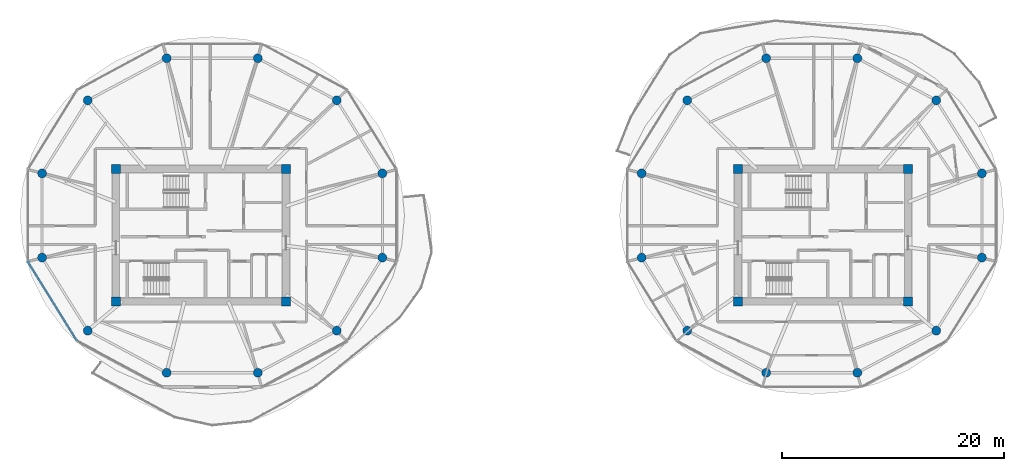
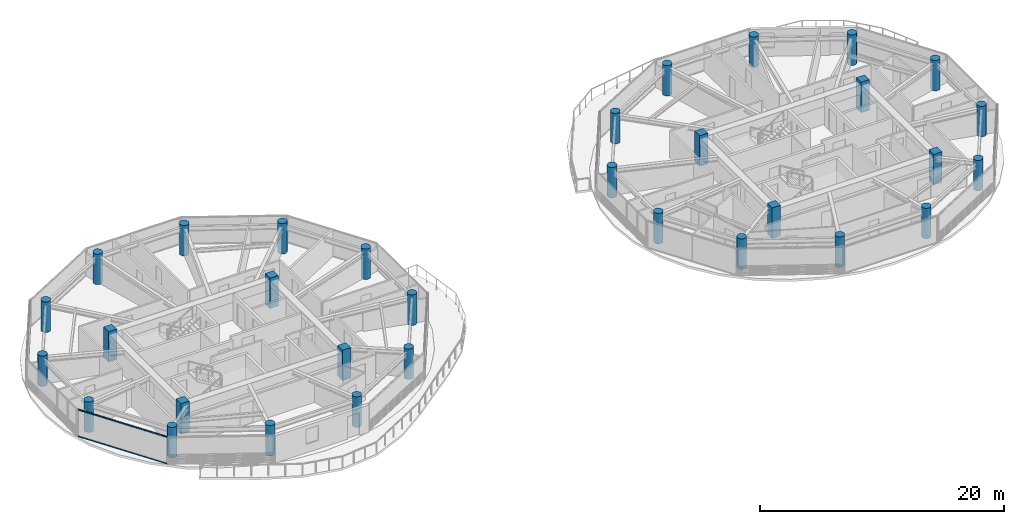
# One storey, part 1 of 22: 32 columns, 2 members, 1 element without a shape of its own.
"""IFC4 building model written with IfcOpenShell, lengths in metres."""

from ifc_helpers import new_model, si_unit, direction, frame, origin, origin_2d, place, context, subcontext, project, spatial, rectangle, circle, extrude, source, transform, mapped, material, layer, layer_set, material_profile, profile_set, type_object, type_shapes, element, aggregate, save


model = new_model("IFC4")

# Units and contexts
model_context = context("Model", 3, precision=1e-05, world=origin(), true_north=direction((0.0, 1.0)))
body_context = subcontext(model_context, "Body", "Model", "MODEL_VIEW")
ifc_project = project(units=[si_unit("LENGTHUNIT", "METRE"), si_unit("AREAUNIT", "SQUARE_METRE"), si_unit("VOLUMEUNIT", "CUBIC_METRE"), si_unit("PLANEANGLEUNIT", "RADIAN"), si_unit("MASSUNIT", "GRAM", prefix="KILO")], contexts=[model_context])

# Site, building, storey
site_placement = place(None, origin())
site = spatial("IfcSite", under=ifc_project, at=site_placement, CompositionType="ELEMENT")
building_placement = place(site_placement, origin())
building = spatial("IfcBuilding", under=site, at=building_placement, Name="Norrkilde Senior Care Towers", CompositionType="ELEMENT")
storey_placement = place(building_placement, frame((0.0, 0.0, 183.10009765625)))
storey = spatial("IfcBuildingStorey", under=building, at=storey_placement, Name="L57", CompositionType="ELEMENT", Elevation=183.10009765625)

# Columns
ifc_material_1 = material(Name="Concrete C60/75", Category="concrete")
ifc_material_profile_1 = material_profile(ifc_material_1, rectangle(XDim=0.800048828125, YDim=0.800048828125, at=origin_2d()), Name="RC COL 800x800")
ifc_profile_set_1 = profile_set([ifc_material_profile_1], Name="Concrete C60/75")
column_type_1 = type_object("IfcColumnType", Name="Column Core Corner Z3-Z4 800", PredefinedType="COLUMN", material=ifc_profile_set_1)
shared_shape_1 = source(origin(), body_context, "Body", "SweptSolid", [
    extrude(rectangle(XDim=0.800048828125, YDim=0.800048828125, at=origin_2d()), origin(), (0.0, 0.0, 1.0), 3.0498046875),
])
type_shapes(column_type_1, [shared_shape_1])
for number, where, z_axis, x_axis, name in (
    (1, (-35.64990234375, -5.949951171875, 0.0), (0.0, 0.0, 1.0), (1.0, 0.0, 0.0), "L57 Core W Corner Column 1"),
    (2, (-20.35009765625, -5.949951171875, 0.0), (0.0, 0.0, 1.0), (1.0, 0.0, 0.0), "L57 Core W Corner Column 2"),
    (3, (-20.35009765625, 5.949951171875, 0.0), (0.0, 0.0, 1.0), (1.0, 0.0, 0.0), "L57 Core W Corner Column 3"),
    (4, (-35.64990234375, 5.949951171875, 0.0), (0.0, 0.0, 1.0), (1.0, 0.0, 0.0), "L57 Core W Corner Column 4"),
    (5, (20.35009765625, -5.949951171875, 0.0), (0.0, 0.0, 1.0), (1.0, 0.0, 0.0), "L57 Core E Corner Column 1"),
    (6, (35.64990234375, -5.949951171875, 0.0), (0.0, 0.0, 1.0), (1.0, 0.0, 0.0), "L57 Core E Corner Column 2"),
    (7, (35.64990234375, 5.949951171875, 0.0), (0.0, 0.0, 1.0), (1.0, 0.0, 0.0), "L57 Core E Corner Column 3"),
    (8, (20.35009765625, 5.949951171875, 0.0), (0.0, 0.0, 1.0), (1.0, 0.0, 0.0), "L57 Core E Corner Column 4"),
):
    element("IfcColumn", number, at=place(storey_placement, frame(where, z_axis=z_axis, x_axis=x_axis)), inside=storey, type_object=column_type_1, Name=name, PredefinedType="COLUMN", context=body_context, shape_type="MappedRepresentation", body=[
        mapped(shared_shape_1, transform((0.0, 0.0, 0.0), x_axis=(1.0, 0.0, 0.0), y_axis=(0.0, 1.0, 0.0), z_axis=(0.0, 0.0, 1.0), scale=1.0)),
    ])
ifc_material_2 = material(Name="Concrete C50/60", Category="concrete")
ifc_material_profile_2 = material_profile(ifc_material_2, circle(Radius=0.39990234375, at=origin_2d()), Name="RC CIR 800")
ifc_profile_set_2 = profile_set([ifc_material_profile_2], Name="Concrete C50/60")
column_type_2 = type_object("IfcColumnType", Name="Column Perimeter Z3 800", PredefinedType="COLUMN", material=ifc_profile_set_2)
shared_shape_2 = source(origin(), body_context, "Body", "SweptSolid", [
    extrude(circle(Radius=0.39990234375, at=origin_2d()), origin(), (0.0, 0.0, 1.0), 3.0498046875),
])
type_shapes(column_type_2, [shared_shape_2])
for number, where, z_axis, x_axis, name in (
    (9, (-11.6650390625, 5.567138671875, 0.0), (0.0, 0.0, 1.0), (1.0, 0.0, 0.0), "L57 Drum W Perimeter Column 01"),
    (10, (-15.767333984375, 12.134521484375, 0.0), (0.0, 0.0, 1.0), (1.0, 0.0, 0.0), "L57 Drum W Perimeter Column 02"),
    (11, (-22.872802734375, 15.92626953125, 0.0), (0.0, 0.0, 1.0), (1.0, 0.0, 0.0), "L57 Drum W Perimeter Column 03"),
    (12, (-31.077392578125, 15.92626953125, 0.0), (0.0, 0.0, 1.0), (1.0, 0.0, 0.0), "L57 Drum W Perimeter Column 04"),
    (13, (-38.1826171875, 12.134521484375, 0.0), (0.0, 0.0, 1.0), (1.0, 0.0, 0.0), "L57 Drum W Perimeter Column 05"),
    (14, (-42.284912109375, 5.567138671875, 0.0), (0.0, 0.0, 1.0), (1.0, 0.0, 0.0), "L57 Drum W Perimeter Column 06"),
    (15, (-42.284912109375, -2.016357421875, 0.0), (0.0, 0.0, 1.0), (1.0, 0.0, 0.0), "L57 Drum W Perimeter Column 07"),
    (16, (-38.1826171875, -8.583740234375, 0.0), (0.0, 0.0, 1.0), (1.0, 0.0, 0.0), "L57 Drum W Perimeter Column 08"),
    (17, (-31.077392578125, -12.37548828125, 0.0), (0.0, 0.0, 1.0), (1.0, 0.0, 0.0), "L57 Drum W Perimeter Column 09"),
    (18, (-22.872802734375, -12.37548828125, 0.0), (0.0, 0.0, 1.0), (1.0, 0.0, 0.0), "L57 Drum W Perimeter Column 10"),
    (19, (-15.767333984375, -8.583740234375, 0.0), (0.0, 0.0, 1.0), (1.0, 0.0, 0.0), "L57 Drum W Perimeter Column 11"),
    (20, (-11.6650390625, -2.016357421875, 0.0), (0.0, 0.0, 1.0), (1.0, 0.0, 0.0), "L57 Drum W Perimeter Column 12"),
    (21, (42.284912109375, 5.567138671875, 0.0), (0.0, 0.0, 1.0), (1.0, 0.0, 0.0), "L57 Drum E Perimeter Column 01"),
    (22, (38.1826171875, 12.134521484375, 0.0), (0.0, 0.0, 1.0), (1.0, 0.0, 0.0), "L57 Drum E Perimeter Column 02"),
    (23, (31.077392578125, 15.92626953125, 0.0), (0.0, 0.0, 1.0), (1.0, 0.0, 0.0), "L57 Drum E Perimeter Column 03"),
    (24, (22.872802734375, 15.92626953125, 0.0), (0.0, 0.0, 1.0), (1.0, 0.0, 0.0), "L57 Drum E Perimeter Column 04"),
    (25, (15.767333984375, 12.134521484375, 0.0), (0.0, 0.0, 1.0), (1.0, 0.0, 0.0), "L57 Drum E Perimeter Column 05"),
    (26, (11.6650390625, 5.567138671875, 0.0), (0.0, 0.0, 1.0), (1.0, 0.0, 0.0), "L57 Drum E Perimeter Column 06"),
    (27, (11.6650390625, -2.016357421875, 0.0), (0.0, 0.0, 1.0), (1.0, 0.0, 0.0), "L57 Drum E Perimeter Column 07"),
    (28, (15.767333984375, -8.583740234375, 0.0), (0.0, 0.0, 1.0), (1.0, 0.0, 0.0), "L57 Drum E Perimeter Column 08"),
    (29, (22.872802734375, -12.37548828125, 0.0), (0.0, 0.0, 1.0), (1.0, 0.0, 0.0), "L57 Drum E Perimeter Column 09"),
    (30, (31.077392578125, -12.37548828125, 0.0), (0.0, 0.0, 1.0), (1.0, 0.0, 0.0), "L57 Drum E Perimeter Column 10"),
    (31, (38.1826171875, -8.583740234375, 0.0), (0.0, 0.0, 1.0), (1.0, 0.0, 0.0), "L57 Drum E Perimeter Column 11"),
    (32, (42.284912109375, -2.016357421875, 0.0), (0.0, 0.0, 1.0), (1.0, 0.0, 0.0), "L57 Drum E Perimeter Column 12"),
):
    element("IfcColumn", number, at=place(storey_placement, frame(where, z_axis=z_axis, x_axis=x_axis)), inside=storey, type_object=column_type_2, Name=name, PredefinedType="COLUMN", context=body_context, shape_type="MappedRepresentation", body=[
        mapped(shared_shape_2, transform((0.0, 0.0, 0.0), x_axis=(1.0, 0.0, 0.0), y_axis=(0.0, 1.0, 0.0), z_axis=(0.0, 0.0, 1.0), scale=1.0)),
    ])

# Curtain wall, members
ifc_material_3 = material(Name="Triple Low-E Insulated Glazing", Category="glass")
ifc_layer = layer(ifc_material_3, 0.18994140625)
ifc_layer_set = layer_set([ifc_layer], Name="Triple Low-E Insulated Glazing")
curtain_wall_type = type_object("IfcCurtainWallType", Name="CW4 Zone 3 Senior Residence Curtain Wall", PredefinedType="NOTDEFINED", material=ifc_layer_set)
curtain_wall_placement = place(storey_placement, origin())
curtain_wall = element("IfcCurtainWall", 33, at=curtain_wall_placement, inside=storey, type_object=curtain_wall_type, Name="L57 Drum W Curtain Wall 06", PredefinedType="NOTDEFINED")
ifc_material_4 = material(Name="Anodised Aluminium", Category="aluminium")
ifc_material_profile_3 = material_profile(ifc_material_4, rectangle(XDim=0.06005859375, YDim=0.1201171875, at=origin_2d()), Name="ALU TRAN 60x120")
ifc_profile_set_3 = profile_set([ifc_material_profile_3], Name="Anodised Aluminium")
member_type = type_object("IfcMemberType", Name="Curtain Wall Transom Typical 60x120", PredefinedType="USERDEFINED", material=ifc_profile_set_3)
shared_shape_3 = source(origin(), body_context, "Body", "SweptSolid", [
    extrude(rectangle(XDim=0.06005859375, YDim=0.1201171875, at=origin_2d()), origin(), (0.0, 0.0, 1.0), 8.301513671875),
])
type_shapes(member_type, [shared_shape_3])
member_1_placement = place(storey_placement, frame((-39.157470703125, -9.468994140625, 0.02978515625), z_axis=(-0.527368718394, 0.849636531029, 0.0), x_axis=(-0.849636531029, -0.527368718394, 0.0)))
member_1 = element("IfcMember", 34, at=member_1_placement, type_object=member_type, Name="CW-4 transom 1.1", ObjectType="TRANSOM", PredefinedType="USERDEFINED", context=body_context, shape_type="MappedRepresentation", body=[
    mapped(shared_shape_3, transform((0.0, 0.0, 0.0), x_axis=(1.0, 0.0, 0.0), y_axis=(0.0, 1.0, 0.0), z_axis=(0.0, 0.0, 1.0), scale=1.0)),
])
member_2_placement = place(storey_placement, frame((-39.157470703125, -9.468994140625, 2.699951171875), z_axis=(-0.527368718394, 0.849636531029, 0.0), x_axis=(-0.849636531029, -0.527368718394, 0.0)))
member_2 = element("IfcMember", 35, at=member_2_placement, type_object=member_type, Name="CW-4 transom 1.2", ObjectType="TRANSOM", PredefinedType="USERDEFINED", context=body_context, shape_type="MappedRepresentation", body=[
    mapped(shared_shape_3, transform((0.0, 0.0, 0.0), x_axis=(1.0, 0.0, 0.0), y_axis=(0.0, 1.0, 0.0), z_axis=(0.0, 0.0, 1.0), scale=1.0)),
])
aggregate(curtain_wall, [member_1, member_2])

save(model, "model.ifc")
